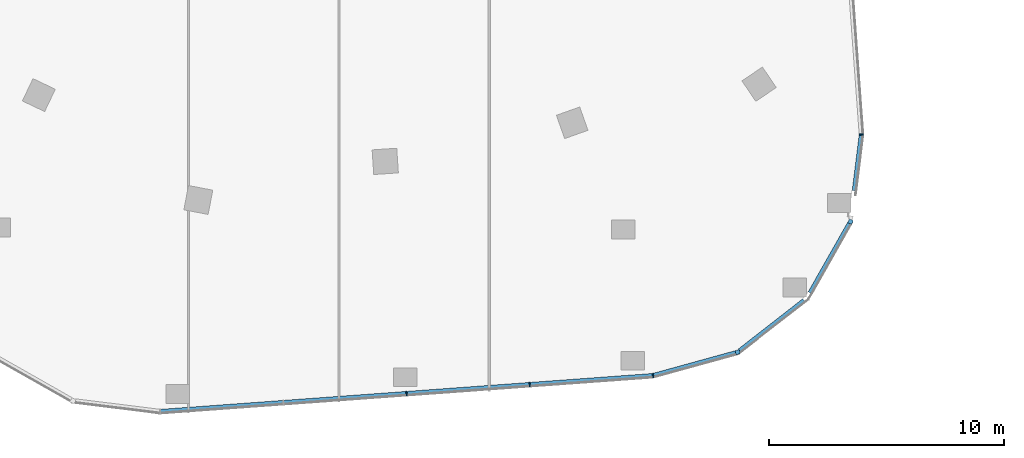
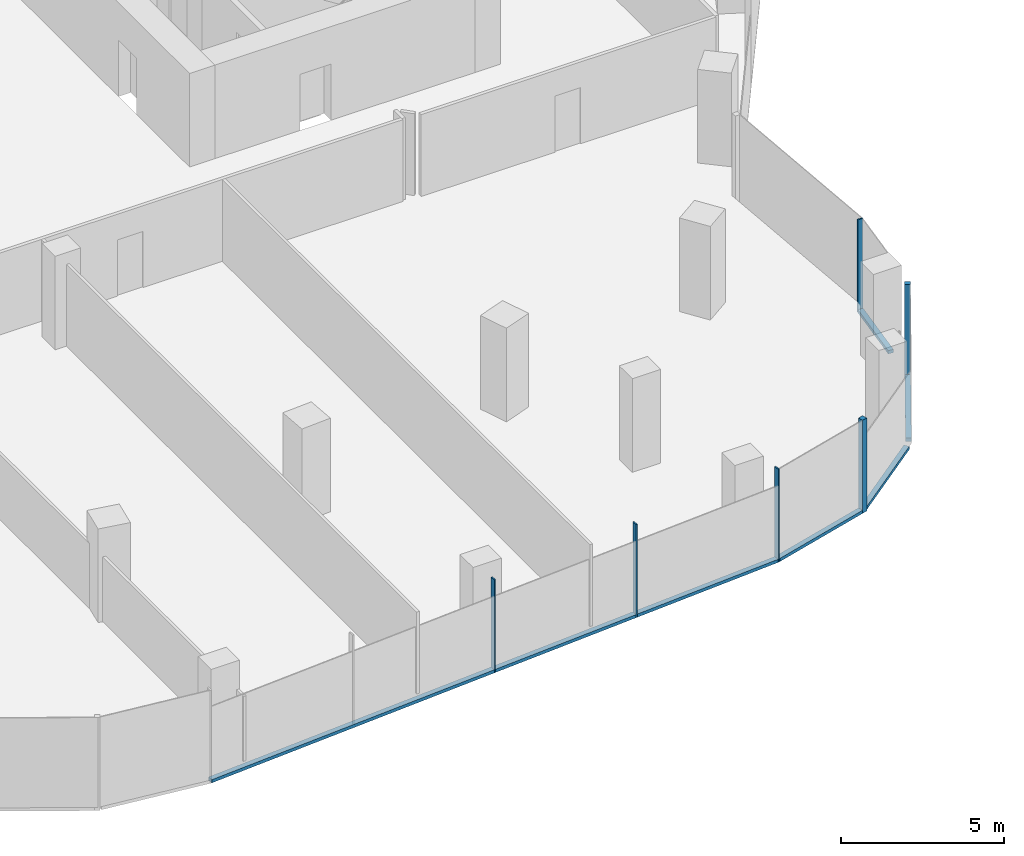
# One storey, part 4 of 24: 11 members, 5 elements without a shape of their own.
"""IFC4 building model written with IfcOpenShell, lengths in metres."""

import ifcopenshell
import ifcopenshell.guid

model = None  # the IFC model being written
_history = None  # IfcOwnerHistory: only IFC2X3 demands one
_inside = {}  # id of a spatial element -> (the spatial element, [elements in it])
_under = {}  # id of a project, library or spatial element -> (it, [spatial elements below it])
_declared = {}  # id of a project -> (the project, [libraries it declares])
_typed = {}  # id of a type object -> (the type object, [elements of that type])
_made_of = {}  # id of a material, layer set ... -> (it, [elements and type objects made of it])


def new_model(schema):
    """Start an empty IFC model of exactly this schema.

    Asked for "IFC4X3", IfcOpenShell would pick the latest addendum, in which some entities
    have other attributes; the version numbers below select the first issue.
    IFC2X3 requires an IfcOwnerHistory on every rooted entity: one is made here for all.
    """
    global model, _history
    if schema == "IFC4X3":
        model = ifcopenshell.file(schema_version=(4, 3, 0, 0))
    else:
        model = ifcopenshell.file(schema=schema)
    _inside.clear()
    _under.clear()
    _declared.clear()
    _typed.clear()
    _made_of.clear()
    _history = None
    if model.schema == "IFC2X3":
        org = make("IfcOrganization", Name="unknown")
        user = make(
            "IfcPersonAndOrganization",
            ThePerson=make("IfcPerson", FamilyName="unknown"),
            TheOrganization=org,
        )
        app = make(
            "IfcApplication",
            ApplicationDeveloper=org,
            Version="unknown",
            ApplicationFullName="unknown",
            ApplicationIdentifier="unknown",
        )
        _history = make(
            "IfcOwnerHistory",
            OwningUser=user,
            OwningApplication=app,
            ChangeAction="ADDED",
            CreationDate=0,
        )
    return model


def make(cls, **values):
    """One entity of the class cls with the attributes given. An attribute that is None is left unset."""
    return model.create_entity(
        cls, **{name: value for name, value in values.items() if value is not None}
    )


def rooted(cls, **values):
    """An entity with a GlobalId (a new one), such as an element, a storey or a relation."""
    return make(cls, GlobalId=ifcopenshell.guid.new(), OwnerHistory=_history, **values)


def si_unit(unit_type, name, prefix=None):
    """IfcSIUnit, for example si_unit("LENGTHUNIT", "METRE", prefix="MILLI")."""
    return make("IfcSIUnit", UnitType=unit_type, Prefix=prefix, Name=name)


def assignment(units):
    """IfcUnitAssignment: the units of a project."""
    return None if units is None else make("IfcUnitAssignment", Units=units)


def point(xyz):
    """IfcCartesianPoint."""
    return None if xyz is None else make("IfcCartesianPoint", Coordinates=xyz)


def direction(xyz):
    """IfcDirection."""
    return None if xyz is None else make("IfcDirection", DirectionRatios=xyz)


def frame(location, z_axis=None, x_axis=None):
    """IfcAxis2Placement3D, a coordinate frame: its origin and axes. An axis left out is left unset."""
    return make(
        "IfcAxis2Placement3D",
        Location=point(location),
        Axis=direction(z_axis),
        RefDirection=direction(x_axis),
    )


def frame_2d(location, x_axis=None):
    """IfcAxis2Placement2D, a coordinate frame in the plane: its origin and x axis."""
    return make(
        "IfcAxis2Placement2D", Location=point(location), RefDirection=direction(x_axis)
    )


def origin():
    """The frame at (0, 0, 0) with its axes left unset."""
    return frame((0.0, 0.0, 0.0))


def origin_2d():
    """The frame at (0, 0) in the plane with its x axis left unset."""
    return frame_2d((0.0, 0.0))


def place(relative_to, where):
    """IfcLocalPlacement: puts the frame where relative to a parent placement (None: the world)."""
    return make(
        "IfcLocalPlacement", PlacementRelTo=relative_to, RelativePlacement=where
    )


def context(
    kind, dimensions, precision=None, world=None, true_north=None, identifier=None
):
    """IfcGeometricRepresentationContext, for example the 3D "Model" context."""
    return make(
        "IfcGeometricRepresentationContext",
        ContextIdentifier=identifier,
        ContextType=kind,
        CoordinateSpaceDimension=dimensions,
        Precision=precision,
        WorldCoordinateSystem=world,
        TrueNorth=true_north,
    )


def subcontext(parent, identifier, kind, view, scale=None):
    """IfcGeometricRepresentationSubContext, for example "Body" below "Model"."""
    return make(
        "IfcGeometricRepresentationSubContext",
        ContextIdentifier=identifier,
        ContextType=kind,
        ParentContext=parent,
        TargetScale=scale,
        TargetView=view,
    )


def project(units=None, contexts=None):
    """IfcProject with its units and contexts."""
    return rooted(
        "IfcProject",
        Name="project",
        RepresentationContexts=contexts,
        UnitsInContext=assignment(units),
    )


def spatial(cls, under=None, at=None, **own):
    """A site, building, storey or space (cls), placed at a placement, below another one or the project."""
    s = rooted(cls, ObjectPlacement=at, **own)
    if under is not None:
        _under.setdefault(under.id(), (under, []))[1].append(s)
    return s


def profile(cls, at=None, kind="AREA", **sizes):
    """A parametric profile (cls). Its sizes go by their IFC names, for example OverallWidth=200.0."""
    return make(cls, ProfileType=kind, Position=at, **sizes)


def rectangle(**sizes):
    """IfcRectangleProfileDef."""
    return profile("IfcRectangleProfileDef", **sizes)


def extrude(swept, where, along, depth):
    """IfcExtrudedAreaSolid: the profile swept, set in the frame where, extruded along a direction by depth."""
    return make(
        "IfcExtrudedAreaSolid",
        SweptArea=swept,
        Position=where,
        ExtrudedDirection=direction(along),
        Depth=depth,
    )


def shape(context_of_items, identifier, shape_type, items):
    """IfcShapeRepresentation: the items that make up one representation, for example the "Body"."""
    return make(
        "IfcShapeRepresentation",
        ContextOfItems=context_of_items,
        RepresentationIdentifier=identifier,
        RepresentationType=shape_type,
        Items=items,
    )


def material(Name=None, Category=None):
    """IfcMaterial."""
    return make("IfcMaterial", Name=Name, Category=Category)


def material_profile(
    of_material, cross_section, Name=None, Category=None, Priority=None
):
    """IfcMaterialProfile: a cross section and its material."""
    return make(
        "IfcMaterialProfile",
        Name=Name,
        Material=of_material,
        Profile=cross_section,
        Priority=Priority,
        Category=Category,
    )


def profile_set(profiles, Name=None, composite=None):
    """IfcMaterialProfileSet."""
    return make(
        "IfcMaterialProfileSet",
        Name=Name,
        MaterialProfiles=profiles,
        CompositeProfile=composite,
    )


def made_of(thing, what):
    """Note that an element or type object is made of a material, layer set ...; save() writes the relation."""
    if what is not None:
        _made_of.setdefault(what.id(), (what, []))[1].append(thing)
    return thing


def type_object(cls, material=None, **own):
    """A type object (cls), such as IfcWallType, which elements share."""
    return made_of(rooted(cls, **own), material)


def element(
    cls,
    number,
    at=None,
    inside=None,
    cuts=None,
    type_object=None,
    material=None,
    context=None,
    identifier="Body",
    shape_type=None,
    held_by="IfcProductDefinitionShape",
    body=None,
    shapes=None,
    **own,
):
    """One element of the class cls, such as IfcWall. Its Tag is "e" and its number.

    at: its placement. inside: the storey or other place that contains it. cuts: it is an
    opening in that element (IfcRelVoidsElement). A single representation is given by context,
    identifier, shape_type and body (its items); several are given by shapes. held_by: the class
    of the entity that holds the representations. save() writes the other relations.
    """
    e = rooted(cls, Tag="e%d" % number, ObjectPlacement=at, **own)
    if body is not None:
        shapes = [shape(context, identifier, shape_type, body)]
    if shapes is not None:
        e.Representation = make(held_by, Representations=shapes)
    if inside is not None:
        _inside.setdefault(inside.id(), (inside, []))[1].append(e)
    if cuts is not None:
        rooted(
            "IfcRelVoidsElement", RelatingBuildingElement=cuts, RelatedOpeningElement=e
        )
    if type_object is not None:
        _typed.setdefault(type_object.id(), (type_object, []))[1].append(e)
    return made_of(e, material)


def aggregate(whole, parts):
    """IfcRelAggregates: a whole, such as a stair, and the parts it consists of."""
    return rooted("IfcRelAggregates", RelatingObject=whole, RelatedObjects=parts)


def save(model, path):
    """Write the relations noted so far, then the file.

    IfcRelAggregates (storeys below a building ...), IfcRelContainedInSpatialStructure (elements
    in a storey), IfcRelDefinesByType, IfcRelAssociatesMaterial and IfcRelDeclares: one each for
    every whole, place, type object, material and project.
    """
    for whole, parts in _under.values():
        aggregate(whole, parts)
    for where, things in _inside.values():
        rooted(
            "IfcRelContainedInSpatialStructure",
            RelatedElements=things,
            RelatingStructure=where,
        )
    for kind, things in _typed.values():
        rooted("IfcRelDefinesByType", RelatedObjects=things, RelatingType=kind)
    for what, things in _made_of.values():
        rooted("IfcRelAssociatesMaterial", RelatedObjects=things, RelatingMaterial=what)
    for by, libraries in _declared.values():
        rooted("IfcRelDeclares", RelatingContext=by, RelatedDefinitions=libraries)
    model.write(path)


model = new_model("IFC4")

# Units and contexts
model_context = context("Model", 3, precision=1e-05, world=origin(), true_north=direction((0.0, 1.0)))
body_context = subcontext(model_context, "Body", "Model", "MODEL_VIEW")
ifc_project = project(units=[si_unit("LENGTHUNIT", "METRE"), si_unit("AREAUNIT", "SQUARE_METRE"), si_unit("VOLUMEUNIT", "CUBIC_METRE"), si_unit("PLANEANGLEUNIT", "RADIAN"), si_unit("MASSUNIT", "GRAM", prefix="KILO")], contexts=[model_context])

# Site, building, storey
site_placement = place(None, origin())
site = spatial("IfcSite", under=ifc_project, at=site_placement, CompositionType="ELEMENT")
building_placement = place(site_placement, origin())
building = spatial("IfcBuilding", under=site, at=building_placement, Name="Orlundy Tower", CompositionType="ELEMENT")
storey_placement = place(building_placement, frame((0.0, 0.0, 246.0)))
storey = spatial("IfcBuildingStorey", under=building, at=storey_placement, Name="L65", CompositionType="ELEMENT", Elevation=246.0)

# Curtain wall, member
ifc_material_1 = material(Name="Aluminium bronze anodised", Category="aluminium")
curtain_wall_type = type_object("IfcCurtainWallType", Name="CW1 wall", PredefinedType="NOTDEFINED", material=ifc_material_1)
curtain_wall_1_placement = place(storey_placement, origin())
curtain_wall_1 = element("IfcCurtainWall", 1, at=curtain_wall_1_placement, inside=storey, type_object=curtain_wall_type, Name="CW1 run 04", PredefinedType="NOTDEFINED")
ifc_material_2 = material(Name="Aluminium bronze anodised", Category="aluminium")
ifc_material_profile_1 = material_profile(ifc_material_2, rectangle(XDim=0.179931640625, YDim=0.179931640625, at=origin_2d()), Name="CW1 corner post 180x180")
ifc_profile_set_1 = profile_set([ifc_material_profile_1], Name="Aluminium bronze anodised")
member_type_1 = type_object("IfcMemberType", Name="CW1 corner post 180x180", PredefinedType="MULLION", material=ifc_profile_set_1)
member_1_placement = place(storey_placement, frame((21.757080078125, -32.1748046875, -0.39990234375), z_axis=(0.0, 0.0, 1.0), x_axis=(0.869601381531, -0.493754430095, 0.0)))
member_1 = element("IfcMember", 2, at=member_1_placement, type_object=member_type_1, Name="CW1 mullion 7", PredefinedType="MULLION", context=body_context, shape_type="SweptSolid", body=[
    extrude(rectangle(XDim=0.179931640625, YDim=0.179931640625, at=origin_2d()), origin(), (0.0, 0.0, 1.0), 3.47998046875),
])

curtain_wall_2_placement = place(storey_placement, origin())
curtain_wall_2 = element("IfcCurtainWall", 3, at=curtain_wall_2_placement, inside=storey, type_object=curtain_wall_type, Name="CW1 run 06", PredefinedType="NOTDEFINED")
member_2_placement = place(storey_placement, frame((16.957275390625, -37.72900390625, -0.39990234375), z_axis=(0.0, 0.0, 1.0), x_axis=(0.265946284152, -0.96398784948, 0.0)))
member_2 = element("IfcMember", 4, at=member_2_placement, type_object=member_type_1, Name="CW1 mullion 9", PredefinedType="MULLION", context=body_context, shape_type="SweptSolid", body=[
    extrude(rectangle(XDim=0.179931640625, YDim=0.179931640625, at=origin_2d()), origin(), (0.0, 0.0, 1.0), 3.47998046875),
])

curtain_wall_3_placement = place(storey_placement, origin())
curtain_wall_3 = element("IfcCurtainWall", 5, at=curtain_wall_3_placement, inside=storey, type_object=curtain_wall_type, Name="CW1 run 03", PredefinedType="NOTDEFINED")
ifc_material_3 = material(Name="Aluminium bronze anodised", Category="aluminium")
ifc_material_profile_2 = material_profile(ifc_material_3, rectangle(XDim=0.179931640625, YDim=0.050048828125, at=origin_2d()), Name="CW1 mullion 50x180")
ifc_profile_set_2 = profile_set([ifc_material_profile_2], Name="Aluminium bronze anodised")
member_type_2 = type_object("IfcMemberType", Name="CW1 mullion 50x180", PredefinedType="MULLION", material=ifc_profile_set_2)
member_3_placement = place(storey_placement, frame((22.21728515625, -28.47021484375, -0.39990234375), z_axis=(0.0, 0.0, 1.0), x_axis=(0.999676246747, -0.025444089483, 0.0)))
member_3 = element("IfcMember", 6, at=member_3_placement, type_object=member_type_2, Name="CW1 mullion 6", PredefinedType="MULLION", context=body_context, shape_type="SweptSolid", body=[
    extrude(rectangle(XDim=0.179931640625, YDim=0.050048828125, at=origin_2d()), origin(), (0.0, 0.0, 1.0), 3.47998046875),
])

# Curtain wall, members
curtain_wall_4_placement = place(storey_placement, origin())
curtain_wall_4 = element("IfcCurtainWall", 7, at=curtain_wall_4_placement, inside=storey, type_object=curtain_wall_type, Name="CW1 run 07", PredefinedType="NOTDEFINED")
member_4_placement = place(storey_placement, frame((13.357421875, -38.72216796875, -0.39990234375), z_axis=(0.0, 0.0, 1.0), x_axis=(0.170127379621, -0.985422079468, 0.0)))
member_4 = element("IfcMember", 8, at=member_4_placement, type_object=member_type_2, Name="CW1 mullion 10", PredefinedType="MULLION", context=body_context, shape_type="SweptSolid", body=[
    extrude(rectangle(XDim=0.179931640625, YDim=0.050048828125, at=origin_2d()), origin(), (0.0, 0.0, 1.0), 3.47998046875),
])
member_5_placement = place(storey_placement, frame((8.112548828125, -39.104248046875, -0.39990234375), z_axis=(0.0, 0.0, 1.0), x_axis=(0.072668329988, -0.997356161969, 0.0)))
member_5 = element("IfcMember", 9, at=member_5_placement, type_object=member_type_2, Name="CW1 mullion 11", PredefinedType="MULLION", context=body_context, shape_type="SweptSolid", body=[
    extrude(rectangle(XDim=0.179931640625, YDim=0.050048828125, at=origin_2d()), origin(), (0.0, 0.0, 1.0), 3.47998046875),
])
member_6_placement = place(storey_placement, frame((2.87646484375, -39.48583984375, -0.39990234375), z_axis=(0.0, 0.0, 1.0), x_axis=(0.072668329988, -0.997356161969, 0.0)))
member_6 = element("IfcMember", 10, at=member_6_placement, type_object=member_type_2, Name="CW1 mullion 12", PredefinedType="MULLION", context=body_context, shape_type="SweptSolid", body=[
    extrude(rectangle(XDim=0.179931640625, YDim=0.050048828125, at=origin_2d()), origin(), (0.0, 0.0, 1.0), 3.47998046875),
])

# Member
ifc_material_4 = material(Name="Aluminium bronze anodised", Category="aluminium")
ifc_material_profile_3 = material_profile(ifc_material_4, rectangle(XDim=0.179931640625, YDim=0.1201171875, at=origin_2d()), Name="CW1 transom 180x120")
ifc_profile_set_3 = profile_set([ifc_material_profile_3], Name="Aluminium bronze anodised")
member_type_3 = type_object("IfcMemberType", Name="CW1 transom 180x120", PredefinedType="USERDEFINED", material=ifc_profile_set_3)
member_7_placement = place(storey_placement, frame((22.21435546875, -28.4951171875, -0.340087890625), z_axis=(-0.123354908055, -0.992362618532, 0.0), x_axis=(0.992362618532, -0.123354908055, 0.0)))
member_7 = element("IfcMember", 11, at=member_7_placement, type_object=member_type_3, Name="CW1 transom", ObjectType="TRANSOM", PredefinedType="USERDEFINED", context=body_context, shape_type="SweptSolid", body=[
    extrude(rectangle(XDim=0.179931640625, YDim=0.1201171875, at=origin_2d()), origin(), (0.0, 0.0, 1.0), 2.386962890625),
])

aggregate(curtain_wall_3, [member_3, member_7])

member_8_placement = place(storey_placement, frame((21.712646484375, -32.253173828125, -0.340087890625), z_axis=(-0.493783343086, -0.869584964273, 0.0), x_axis=(0.869584964273, -0.493783343086, 0.0)))
member_8 = element("IfcMember", 12, at=member_8_placement, type_object=member_type_3, Name="CW1 transom", ObjectType="TRANSOM", PredefinedType="USERDEFINED", context=body_context, shape_type="SweptSolid", body=[
    extrude(rectangle(XDim=0.179931640625, YDim=0.1201171875, at=origin_2d()), origin(), (0.0, 0.0, 1.0), 3.395751953125),
])

aggregate(curtain_wall_1, [member_1, member_8])

# Curtain wall, member
curtain_wall_5_placement = place(storey_placement, origin())
curtain_wall_5 = element("IfcCurtainWall", 13, at=curtain_wall_5_placement, inside=storey, type_object=curtain_wall_type, Name="CW1 run 05", PredefinedType="NOTDEFINED")
member_9_placement = place(storey_placement, frame((19.78369140625, -35.527099609375, -0.340087890625), z_axis=(-0.788880549611, -0.614546563285, 0.0), x_axis=(0.614546563285, -0.788880549611, 0.0)))
member_9 = element("IfcMember", 14, at=member_9_placement, type_object=member_type_3, Name="CW1 transom", ObjectType="TRANSOM", PredefinedType="USERDEFINED", context=body_context, shape_type="SweptSolid", body=[
    extrude(rectangle(XDim=0.179931640625, YDim=0.1201171875, at=origin_2d()), origin(), (0.0, 0.0, 1.0), 3.485595703125),
])
aggregate(curtain_wall_5, [member_9])

# Member
member_10_placement = place(storey_placement, frame((16.870361328125, -37.7529296875, -0.340087890625), z_axis=(-0.963993810847, -0.265924674763, 0.0), x_axis=(0.265924674763, -0.963993810847, 0.0)))
member_10 = element("IfcMember", 15, at=member_10_placement, type_object=member_type_3, Name="CW1 transom", ObjectType="TRANSOM", PredefinedType="USERDEFINED", context=body_context, shape_type="SweptSolid", body=[
    extrude(rectangle(XDim=0.179931640625, YDim=0.1201171875, at=origin_2d()), origin(), (0.0, 0.0, 1.0), 3.619140625),
])

aggregate(curtain_wall_2, [member_2, member_10])

member_11_placement = place(storey_placement, frame((13.332275390625, -38.723876953125, -0.340087890625), z_axis=(-0.997356020939, -0.072670265565, 0.0), x_axis=(0.072670265565, -0.997356020939, 0.0)))
member_11 = element("IfcMember", 16, at=member_11_placement, type_object=member_type_3, Name="CW1 transom", ObjectType="TRANSOM", PredefinedType="USERDEFINED", context=body_context, shape_type="SweptSolid", body=[
    extrude(rectangle(XDim=0.179931640625, YDim=0.1201171875, at=origin_2d()), origin(), (0.0, 0.0, 1.0), 20.967041015625),
])

aggregate(curtain_wall_4, [member_4, member_5, member_6, member_11])

save(model, "model.ifc")
